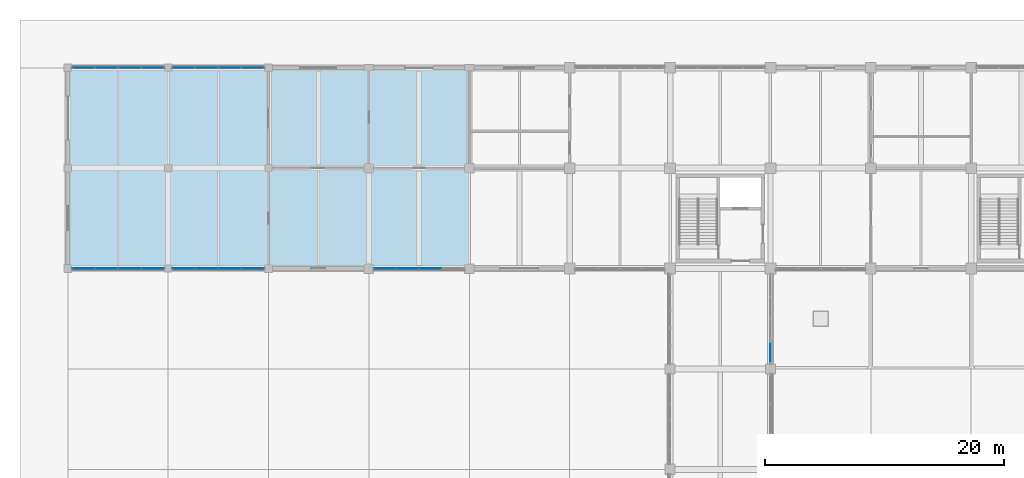
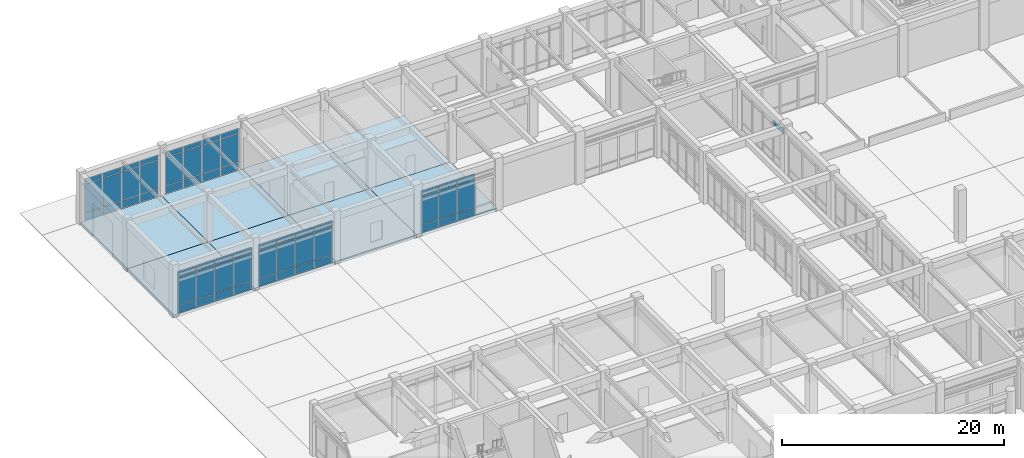
# One storey, part 54 of 91: 58 plates, 8 slabs, 6 elements without a shape of their own.
"""IFC4 building model written with IfcOpenShell, lengths in metres."""

from ifc_helpers import new_model, si_unit, direction, frame, origin, origin_2d, place, context, subcontext, project, spatial, polyline, rectangle, outline, extrude, material, layer, layer_set, type_object, element, aggregate, save


model = new_model("IFC4")

# Units and contexts
model_context = context("Model", 3, precision=1e-05, world=origin(), true_north=direction((0.0, 1.0)))
body_context = subcontext(model_context, "Body", "Model", "MODEL_VIEW")
ifc_project = project(units=[si_unit("LENGTHUNIT", "METRE"), si_unit("AREAUNIT", "SQUARE_METRE"), si_unit("VOLUMEUNIT", "CUBIC_METRE"), si_unit("PLANEANGLEUNIT", "RADIAN"), si_unit("MASSUNIT", "GRAM", prefix="KILO")], contexts=[model_context])

# Site, building, storey
site_placement = place(None, origin())
site = spatial("IfcSite", under=ifc_project, at=site_placement, CompositionType="ELEMENT")
building_placement = place(site_placement, origin())
building = spatial("IfcBuilding", under=site, at=building_placement, Name="Porcellanite Civic Hall", CompositionType="ELEMENT")
storey_placement = place(building_placement, origin())
storey = spatial("IfcBuildingStorey", under=building, at=storey_placement, Name="L00", CompositionType="ELEMENT", Elevation=0.0)

# Curtain wall, plates
ifc_material_1 = material(Name="Anodised aluminium and solar laminated glass", Category="aluminium")
ifc_layer_1 = layer(ifc_material_1, 0.179931640625)
ifc_layer_set_1 = layer_set([ifc_layer_1], Name="Anodised aluminium and solar laminated glass")
curtain_wall_type_1 = type_object("IfcCurtainWallType", Name="CW-SYS05", PredefinedType="NOTDEFINED", material=ifc_layer_set_1)
curtain_wall_1_placement = place(storey_placement, origin())
curtain_wall_1 = element("IfcCurtainWall", 1, at=curtain_wall_1_placement, inside=storey, type_object=curtain_wall_type_1, Name="Curtain wall CW-005", PredefinedType="NOTDEFINED")
ifc_material_2 = material(Name="Cyclone laminated solar-control low-E glass", Category="glass")
ifc_layer_2 = layer(ifc_material_2, 0.028076171875)
ifc_layer_set_2 = layer_set([ifc_layer_2], Name="Cyclone laminated solar-control low-E glass")
plate_type_1 = type_object("IfcPlateType", Name="CWP-03", PredefinedType="CURTAIN_PANEL", material=ifc_layer_set_2)
plate_1_placement = place(storey_placement, frame((7.10986328125, 100.800048828125, 0.06005859375), z_axis=(0.0, 0.0, 1.0), x_axis=(-1.0, 0.0, 0.0)))
plate_1 = element("IfcPlate", 2, at=plate_1_placement, type_object=plate_type_1, Name="CW-005 panel 1.1", PredefinedType="CURTAIN_PANEL", context=body_context, shape_type="SweptSolid", body=[
    extrude(rectangle(XDim=1.838134765625, YDim=0.028076171875, at=origin_2d()), origin(), (0.0, 0.0, 1.0), 0.81005859375),
])
plate_2_placement = place(storey_placement, frame((7.10986328125, 100.800048828125, 0.93017578125), z_axis=(0.0, 0.0, 1.0), x_axis=(-1.0, 0.0, 0.0)))
plate_2 = element("IfcPlate", 3, at=plate_2_placement, type_object=plate_type_1, Name="CW-005 panel 1.2", PredefinedType="CURTAIN_PANEL", context=body_context, shape_type="SweptSolid", body=[
    extrude(rectangle(XDim=1.838134765625, YDim=0.028076171875, at=origin_2d()), origin(), (0.0, 0.0, 1.0), 3.090087890625),
])
plate_3_placement = place(storey_placement, frame((7.10986328125, 100.800048828125, 4.080078125), z_axis=(0.0, 0.0, 1.0), x_axis=(-1.0, 0.0, 0.0)))
plate_3 = element("IfcPlate", 4, at=plate_3_placement, type_object=plate_type_1, Name="CW-005 panel 1.3", PredefinedType="CURTAIN_PANEL", context=body_context, shape_type="SweptSolid", body=[
    extrude(rectangle(XDim=1.838134765625, YDim=0.028076171875, at=origin_2d()), origin(), (0.0, 0.0, 1.0), 0.56005859375),
])
plate_4_placement = place(storey_placement, frame((5.18408203125, 100.800048828125, 0.06005859375), z_axis=(0.0, 0.0, 1.0), x_axis=(-1.0, 0.0, 0.0)))
plate_4 = element("IfcPlate", 5, at=plate_4_placement, type_object=plate_type_1, Name="CW-005 panel 2.1", PredefinedType="CURTAIN_PANEL", context=body_context, shape_type="SweptSolid", body=[
    extrude(rectangle(XDim=1.873291015625, YDim=0.028076171875, at=origin_2d()), origin(), (0.0, 0.0, 1.0), 0.81005859375),
])
plate_5_placement = place(storey_placement, frame((5.18408203125, 100.800048828125, 0.93017578125), z_axis=(0.0, 0.0, 1.0), x_axis=(-1.0, 0.0, 0.0)))
plate_5 = element("IfcPlate", 6, at=plate_5_placement, type_object=plate_type_1, Name="CW-005 panel 2.2", PredefinedType="CURTAIN_PANEL", context=body_context, shape_type="SweptSolid", body=[
    extrude(rectangle(XDim=1.873291015625, YDim=0.028076171875, at=origin_2d()), origin(), (0.0, 0.0, 1.0), 3.090087890625),
])
plate_6_placement = place(storey_placement, frame((5.18408203125, 100.800048828125, 4.080078125), z_axis=(0.0, 0.0, 1.0), x_axis=(-1.0, 0.0, 0.0)))
plate_6 = element("IfcPlate", 7, at=plate_6_placement, type_object=plate_type_1, Name="CW-005 panel 2.3", PredefinedType="CURTAIN_PANEL", context=body_context, shape_type="SweptSolid", body=[
    extrude(rectangle(XDim=1.873291015625, YDim=0.028076171875, at=origin_2d()), origin(), (0.0, 0.0, 1.0), 0.56005859375),
])
plate_7_placement = place(storey_placement, frame((3.240966796875, 100.800048828125, 0.06005859375), z_axis=(0.0, 0.0, 1.0), x_axis=(-1.0, 0.0, 0.0)))
plate_7 = element("IfcPlate", 8, at=plate_7_placement, type_object=plate_type_1, Name="CW-005 panel 3.1", PredefinedType="CURTAIN_PANEL", context=body_context, shape_type="SweptSolid", body=[
    extrude(rectangle(XDim=1.873291015625, YDim=0.028076171875, at=origin_2d()), origin(), (0.0, 0.0, 1.0), 0.81005859375),
])
plate_8_placement = place(storey_placement, frame((3.240966796875, 100.800048828125, 0.93017578125), z_axis=(0.0, 0.0, 1.0), x_axis=(-1.0, 0.0, 0.0)))
plate_8 = element("IfcPlate", 9, at=plate_8_placement, type_object=plate_type_1, Name="CW-005 panel 3.2", PredefinedType="CURTAIN_PANEL", context=body_context, shape_type="SweptSolid", body=[
    extrude(rectangle(XDim=1.873291015625, YDim=0.028076171875, at=origin_2d()), origin(), (0.0, 0.0, 1.0), 3.090087890625),
])
plate_9_placement = place(storey_placement, frame((3.240966796875, 100.800048828125, 4.080078125), z_axis=(0.0, 0.0, 1.0), x_axis=(-1.0, 0.0, 0.0)))
plate_9 = element("IfcPlate", 10, at=plate_9_placement, type_object=plate_type_1, Name="CW-005 panel 3.3", PredefinedType="CURTAIN_PANEL", context=body_context, shape_type="SweptSolid", body=[
    extrude(rectangle(XDim=1.873291015625, YDim=0.028076171875, at=origin_2d()), origin(), (0.0, 0.0, 1.0), 0.56005859375),
])
plate_10_placement = place(storey_placement, frame((1.315185546875, 100.800048828125, 0.06005859375), z_axis=(0.0, 0.0, 1.0), x_axis=(-1.0, 0.0, 0.0)))
plate_10 = element("IfcPlate", 11, at=plate_10_placement, type_object=plate_type_1, Name="CW-005 panel 4.1", PredefinedType="CURTAIN_PANEL", context=body_context, shape_type="SweptSolid", body=[
    extrude(rectangle(XDim=1.838134765625, YDim=0.028076171875, at=origin_2d()), origin(), (0.0, 0.0, 1.0), 0.81005859375),
])
plate_11_placement = place(storey_placement, frame((1.315185546875, 100.800048828125, 0.93017578125), z_axis=(0.0, 0.0, 1.0), x_axis=(-1.0, 0.0, 0.0)))
plate_11 = element("IfcPlate", 12, at=plate_11_placement, type_object=plate_type_1, Name="CW-005 panel 4.2", PredefinedType="CURTAIN_PANEL", context=body_context, shape_type="SweptSolid", body=[
    extrude(rectangle(XDim=1.838134765625, YDim=0.028076171875, at=origin_2d()), origin(), (0.0, 0.0, 1.0), 3.090087890625),
])
plate_12_placement = place(storey_placement, frame((1.315185546875, 100.800048828125, 4.080078125), z_axis=(0.0, 0.0, 1.0), x_axis=(-1.0, 0.0, 0.0)))
plate_12 = element("IfcPlate", 13, at=plate_12_placement, type_object=plate_type_1, Name="CW-005 panel 4.3", PredefinedType="CURTAIN_PANEL", context=body_context, shape_type="SweptSolid", body=[
    extrude(rectangle(XDim=1.838134765625, YDim=0.028076171875, at=origin_2d()), origin(), (0.0, 0.0, 1.0), 0.56005859375),
])
aggregate(curtain_wall_1, [plate_1, plate_2, plate_3, plate_4, plate_5, plate_6, plate_7, plate_8, plate_9, plate_10, plate_11, plate_12])

curtain_wall_2_placement = place(storey_placement, origin())
curtain_wall_2 = element("IfcCurtainWall", 14, at=curtain_wall_2_placement, inside=storey, type_object=curtain_wall_type_1, Name="Curtain wall CW-006", PredefinedType="NOTDEFINED")
plate_13_placement = place(storey_placement, frame((1.315185546875, 117.60009765625, 0.06005859375), z_axis=(0.0, 0.0, 1.0), x_axis=(1.0, 0.0, 0.0)))
plate_13 = element("IfcPlate", 15, at=plate_13_placement, type_object=plate_type_1, Name="CW-006 panel 1.1", PredefinedType="CURTAIN_PANEL", context=body_context, shape_type="SweptSolid", body=[
    extrude(rectangle(XDim=1.838134765625, YDim=0.028076171875, at=origin_2d()), origin(), (0.0, 0.0, 1.0), 0.81005859375),
])
plate_14_placement = place(storey_placement, frame((1.315185546875, 117.60009765625, 0.93017578125), z_axis=(0.0, 0.0, 1.0), x_axis=(1.0, 0.0, 0.0)))
plate_14 = element("IfcPlate", 16, at=plate_14_placement, type_object=plate_type_1, Name="CW-006 panel 1.2", PredefinedType="CURTAIN_PANEL", context=body_context, shape_type="SweptSolid", body=[
    extrude(rectangle(XDim=1.838134765625, YDim=0.028076171875, at=origin_2d()), origin(), (0.0, 0.0, 1.0), 3.090087890625),
])
plate_15_placement = place(storey_placement, frame((1.315185546875, 117.60009765625, 4.080078125), z_axis=(0.0, 0.0, 1.0), x_axis=(1.0, 0.0, 0.0)))
plate_15 = element("IfcPlate", 17, at=plate_15_placement, type_object=plate_type_1, Name="CW-006 panel 1.3", PredefinedType="CURTAIN_PANEL", context=body_context, shape_type="SweptSolid", body=[
    extrude(rectangle(XDim=1.838134765625, YDim=0.028076171875, at=origin_2d()), origin(), (0.0, 0.0, 1.0), 0.56005859375),
])
plate_16_placement = place(storey_placement, frame((3.240966796875, 117.60009765625, 0.06005859375), z_axis=(0.0, 0.0, 1.0), x_axis=(1.0, 0.0, 0.0)))
plate_16 = element("IfcPlate", 18, at=plate_16_placement, type_object=plate_type_1, Name="CW-006 panel 2.1", PredefinedType="CURTAIN_PANEL", context=body_context, shape_type="SweptSolid", body=[
    extrude(rectangle(XDim=1.873291015625, YDim=0.028076171875, at=origin_2d()), origin(), (0.0, 0.0, 1.0), 0.81005859375),
])
plate_17_placement = place(storey_placement, frame((3.240966796875, 117.60009765625, 0.93017578125), z_axis=(0.0, 0.0, 1.0), x_axis=(1.0, 0.0, 0.0)))
plate_17 = element("IfcPlate", 19, at=plate_17_placement, type_object=plate_type_1, Name="CW-006 panel 2.2", PredefinedType="CURTAIN_PANEL", context=body_context, shape_type="SweptSolid", body=[
    extrude(rectangle(XDim=1.873291015625, YDim=0.028076171875, at=origin_2d()), origin(), (0.0, 0.0, 1.0), 3.090087890625),
])
plate_18_placement = place(storey_placement, frame((3.240966796875, 117.60009765625, 4.080078125), z_axis=(0.0, 0.0, 1.0), x_axis=(1.0, 0.0, 0.0)))
plate_18 = element("IfcPlate", 20, at=plate_18_placement, type_object=plate_type_1, Name="CW-006 panel 2.3", PredefinedType="CURTAIN_PANEL", context=body_context, shape_type="SweptSolid", body=[
    extrude(rectangle(XDim=1.873291015625, YDim=0.028076171875, at=origin_2d()), origin(), (0.0, 0.0, 1.0), 0.56005859375),
])
plate_19_placement = place(storey_placement, frame((5.18408203125, 117.60009765625, 0.06005859375), z_axis=(0.0, 0.0, 1.0), x_axis=(1.0, 0.0, 0.0)))
plate_19 = element("IfcPlate", 21, at=plate_19_placement, type_object=plate_type_1, Name="CW-006 panel 3.1", PredefinedType="CURTAIN_PANEL", context=body_context, shape_type="SweptSolid", body=[
    extrude(rectangle(XDim=1.873291015625, YDim=0.028076171875, at=origin_2d()), origin(), (0.0, 0.0, 1.0), 0.81005859375),
])
plate_20_placement = place(storey_placement, frame((5.18408203125, 117.60009765625, 0.93017578125), z_axis=(0.0, 0.0, 1.0), x_axis=(1.0, 0.0, 0.0)))
plate_20 = element("IfcPlate", 22, at=plate_20_placement, type_object=plate_type_1, Name="CW-006 panel 3.2", PredefinedType="CURTAIN_PANEL", context=body_context, shape_type="SweptSolid", body=[
    extrude(rectangle(XDim=1.873291015625, YDim=0.028076171875, at=origin_2d()), origin(), (0.0, 0.0, 1.0), 3.090087890625),
])
plate_21_placement = place(storey_placement, frame((5.18408203125, 117.60009765625, 4.080078125), z_axis=(0.0, 0.0, 1.0), x_axis=(1.0, 0.0, 0.0)))
plate_21 = element("IfcPlate", 23, at=plate_21_placement, type_object=plate_type_1, Name="CW-006 panel 3.3", PredefinedType="CURTAIN_PANEL", context=body_context, shape_type="SweptSolid", body=[
    extrude(rectangle(XDim=1.873291015625, YDim=0.028076171875, at=origin_2d()), origin(), (0.0, 0.0, 1.0), 0.56005859375),
])
plate_22_placement = place(storey_placement, frame((7.10986328125, 117.60009765625, 0.06005859375), z_axis=(0.0, 0.0, 1.0), x_axis=(1.0, 0.0, 0.0)))
plate_22 = element("IfcPlate", 24, at=plate_22_placement, type_object=plate_type_1, Name="CW-006 panel 4.1", PredefinedType="CURTAIN_PANEL", context=body_context, shape_type="SweptSolid", body=[
    extrude(rectangle(XDim=1.838134765625, YDim=0.028076171875, at=origin_2d()), origin(), (0.0, 0.0, 1.0), 0.81005859375),
])
plate_23_placement = place(storey_placement, frame((7.10986328125, 117.60009765625, 0.93017578125), z_axis=(0.0, 0.0, 1.0), x_axis=(1.0, 0.0, 0.0)))
plate_23 = element("IfcPlate", 25, at=plate_23_placement, type_object=plate_type_1, Name="CW-006 panel 4.2", PredefinedType="CURTAIN_PANEL", context=body_context, shape_type="SweptSolid", body=[
    extrude(rectangle(XDim=1.838134765625, YDim=0.028076171875, at=origin_2d()), origin(), (0.0, 0.0, 1.0), 3.090087890625),
])
plate_24_placement = place(storey_placement, frame((7.10986328125, 117.60009765625, 4.080078125), z_axis=(0.0, 0.0, 1.0), x_axis=(1.0, 0.0, 0.0)))
plate_24 = element("IfcPlate", 26, at=plate_24_placement, type_object=plate_type_1, Name="CW-006 panel 4.3", PredefinedType="CURTAIN_PANEL", context=body_context, shape_type="SweptSolid", body=[
    extrude(rectangle(XDim=1.838134765625, YDim=0.028076171875, at=origin_2d()), origin(), (0.0, 0.0, 1.0), 0.56005859375),
])
aggregate(curtain_wall_2, [plate_13, plate_14, plate_15, plate_16, plate_17, plate_18, plate_19, plate_20, plate_21, plate_22, plate_23, plate_24])

curtain_wall_3_placement = place(storey_placement, origin())
curtain_wall_3 = element("IfcCurtainWall", 27, at=curtain_wall_3_placement, inside=storey, type_object=curtain_wall_type_1, Name="Curtain wall CW-008", PredefinedType="NOTDEFINED")
plate_25_placement = place(storey_placement, frame((15.48486328125, 100.800048828125, 0.06005859375), z_axis=(0.0, 0.0, 1.0), x_axis=(-1.0, 0.0, 0.0)))
plate_25 = element("IfcPlate", 28, at=plate_25_placement, type_object=plate_type_1, Name="CW-008 panel 1.1", PredefinedType="CURTAIN_PANEL", context=body_context, shape_type="SweptSolid", body=[
    extrude(rectangle(XDim=1.838134765625, YDim=0.028076171875, at=origin_2d()), origin(), (0.0, 0.0, 1.0), 0.81005859375),
])
plate_26_placement = place(storey_placement, frame((15.48486328125, 100.800048828125, 0.93017578125), z_axis=(0.0, 0.0, 1.0), x_axis=(-1.0, 0.0, 0.0)))
plate_26 = element("IfcPlate", 29, at=plate_26_placement, type_object=plate_type_1, Name="CW-008 panel 1.2", PredefinedType="CURTAIN_PANEL", context=body_context, shape_type="SweptSolid", body=[
    extrude(rectangle(XDim=1.838134765625, YDim=0.028076171875, at=origin_2d()), origin(), (0.0, 0.0, 1.0), 3.090087890625),
])
plate_27_placement = place(storey_placement, frame((15.48486328125, 100.800048828125, 4.080078125), z_axis=(0.0, 0.0, 1.0), x_axis=(-1.0, 0.0, 0.0)))
plate_27 = element("IfcPlate", 30, at=plate_27_placement, type_object=plate_type_1, Name="CW-008 panel 1.3", PredefinedType="CURTAIN_PANEL", context=body_context, shape_type="SweptSolid", body=[
    extrude(rectangle(XDim=1.838134765625, YDim=0.028076171875, at=origin_2d()), origin(), (0.0, 0.0, 1.0), 0.56005859375),
])
plate_28_placement = place(storey_placement, frame((13.55908203125, 100.800048828125, 0.06005859375), z_axis=(0.0, 0.0, 1.0), x_axis=(-1.0, 0.0, 0.0)))
plate_28 = element("IfcPlate", 31, at=plate_28_placement, type_object=plate_type_1, Name="CW-008 panel 2.1", PredefinedType="CURTAIN_PANEL", context=body_context, shape_type="SweptSolid", body=[
    extrude(rectangle(XDim=1.873291015625, YDim=0.028076171875, at=origin_2d()), origin(), (0.0, 0.0, 1.0), 0.81005859375),
])
plate_29_placement = place(storey_placement, frame((13.55908203125, 100.800048828125, 0.93017578125), z_axis=(0.0, 0.0, 1.0), x_axis=(-1.0, 0.0, 0.0)))
plate_29 = element("IfcPlate", 32, at=plate_29_placement, type_object=plate_type_1, Name="CW-008 panel 2.2", PredefinedType="CURTAIN_PANEL", context=body_context, shape_type="SweptSolid", body=[
    extrude(rectangle(XDim=1.873291015625, YDim=0.028076171875, at=origin_2d()), origin(), (0.0, 0.0, 1.0), 3.090087890625),
])
plate_30_placement = place(storey_placement, frame((13.55908203125, 100.800048828125, 4.080078125), z_axis=(0.0, 0.0, 1.0), x_axis=(-1.0, 0.0, 0.0)))
plate_30 = element("IfcPlate", 33, at=plate_30_placement, type_object=plate_type_1, Name="CW-008 panel 2.3", PredefinedType="CURTAIN_PANEL", context=body_context, shape_type="SweptSolid", body=[
    extrude(rectangle(XDim=1.873291015625, YDim=0.028076171875, at=origin_2d()), origin(), (0.0, 0.0, 1.0), 0.56005859375),
])
plate_31_placement = place(storey_placement, frame((11.615966796875, 100.800048828125, 0.06005859375), z_axis=(0.0, 0.0, 1.0), x_axis=(-1.0, 0.0, 0.0)))
plate_31 = element("IfcPlate", 34, at=plate_31_placement, type_object=plate_type_1, Name="CW-008 panel 3.1", PredefinedType="CURTAIN_PANEL", context=body_context, shape_type="SweptSolid", body=[
    extrude(rectangle(XDim=1.873291015625, YDim=0.028076171875, at=origin_2d()), origin(), (0.0, 0.0, 1.0), 0.81005859375),
])
plate_32_placement = place(storey_placement, frame((11.615966796875, 100.800048828125, 0.93017578125), z_axis=(0.0, 0.0, 1.0), x_axis=(-1.0, 0.0, 0.0)))
plate_32 = element("IfcPlate", 35, at=plate_32_placement, type_object=plate_type_1, Name="CW-008 panel 3.2", PredefinedType="CURTAIN_PANEL", context=body_context, shape_type="SweptSolid", body=[
    extrude(rectangle(XDim=1.873291015625, YDim=0.028076171875, at=origin_2d()), origin(), (0.0, 0.0, 1.0), 3.090087890625),
])
plate_33_placement = place(storey_placement, frame((11.615966796875, 100.800048828125, 4.080078125), z_axis=(0.0, 0.0, 1.0), x_axis=(-1.0, 0.0, 0.0)))
plate_33 = element("IfcPlate", 36, at=plate_33_placement, type_object=plate_type_1, Name="CW-008 panel 3.3", PredefinedType="CURTAIN_PANEL", context=body_context, shape_type="SweptSolid", body=[
    extrude(rectangle(XDim=1.873291015625, YDim=0.028076171875, at=origin_2d()), origin(), (0.0, 0.0, 1.0), 0.56005859375),
])
plate_34_placement = place(storey_placement, frame((9.690185546875, 100.800048828125, 0.06005859375), z_axis=(0.0, 0.0, 1.0), x_axis=(-1.0, 0.0, 0.0)))
plate_34 = element("IfcPlate", 37, at=plate_34_placement, type_object=plate_type_1, Name="CW-008 panel 4.1", PredefinedType="CURTAIN_PANEL", context=body_context, shape_type="SweptSolid", body=[
    extrude(rectangle(XDim=1.838134765625, YDim=0.028076171875, at=origin_2d()), origin(), (0.0, 0.0, 1.0), 0.81005859375),
])
plate_35_placement = place(storey_placement, frame((9.690185546875, 100.800048828125, 0.93017578125), z_axis=(0.0, 0.0, 1.0), x_axis=(-1.0, 0.0, 0.0)))
plate_35 = element("IfcPlate", 38, at=plate_35_placement, type_object=plate_type_1, Name="CW-008 panel 4.2", PredefinedType="CURTAIN_PANEL", context=body_context, shape_type="SweptSolid", body=[
    extrude(rectangle(XDim=1.838134765625, YDim=0.028076171875, at=origin_2d()), origin(), (0.0, 0.0, 1.0), 3.090087890625),
])
plate_36_placement = place(storey_placement, frame((9.690185546875, 100.800048828125, 4.080078125), z_axis=(0.0, 0.0, 1.0), x_axis=(-1.0, 0.0, 0.0)))
plate_36 = element("IfcPlate", 39, at=plate_36_placement, type_object=plate_type_1, Name="CW-008 panel 4.3", PredefinedType="CURTAIN_PANEL", context=body_context, shape_type="SweptSolid", body=[
    extrude(rectangle(XDim=1.838134765625, YDim=0.028076171875, at=origin_2d()), origin(), (0.0, 0.0, 1.0), 0.56005859375),
])
aggregate(curtain_wall_3, [plate_25, plate_26, plate_27, plate_28, plate_29, plate_30, plate_31, plate_32, plate_33, plate_34, plate_35, plate_36])

curtain_wall_4_placement = place(storey_placement, origin())
curtain_wall_4 = element("IfcCurtainWall", 40, at=curtain_wall_4_placement, inside=storey, type_object=curtain_wall_type_1, Name="Curtain wall CW-009", PredefinedType="NOTDEFINED")
plate_37_placement = place(storey_placement, frame((9.690185546875, 117.60009765625, 0.06005859375), z_axis=(0.0, 0.0, 1.0), x_axis=(1.0, 0.0, 0.0)))
plate_37 = element("IfcPlate", 41, at=plate_37_placement, type_object=plate_type_1, Name="CW-009 panel 1.1", PredefinedType="CURTAIN_PANEL", context=body_context, shape_type="SweptSolid", body=[
    extrude(rectangle(XDim=1.838134765625, YDim=0.028076171875, at=origin_2d()), origin(), (0.0, 0.0, 1.0), 0.81005859375),
])
plate_38_placement = place(storey_placement, frame((9.690185546875, 117.60009765625, 0.93017578125), z_axis=(0.0, 0.0, 1.0), x_axis=(1.0, 0.0, 0.0)))
plate_38 = element("IfcPlate", 42, at=plate_38_placement, type_object=plate_type_1, Name="CW-009 panel 1.2", PredefinedType="CURTAIN_PANEL", context=body_context, shape_type="SweptSolid", body=[
    extrude(rectangle(XDim=1.838134765625, YDim=0.028076171875, at=origin_2d()), origin(), (0.0, 0.0, 1.0), 3.090087890625),
])
plate_39_placement = place(storey_placement, frame((9.690185546875, 117.60009765625, 4.080078125), z_axis=(0.0, 0.0, 1.0), x_axis=(1.0, 0.0, 0.0)))
plate_39 = element("IfcPlate", 43, at=plate_39_placement, type_object=plate_type_1, Name="CW-009 panel 1.3", PredefinedType="CURTAIN_PANEL", context=body_context, shape_type="SweptSolid", body=[
    extrude(rectangle(XDim=1.838134765625, YDim=0.028076171875, at=origin_2d()), origin(), (0.0, 0.0, 1.0), 0.56005859375),
])
plate_40_placement = place(storey_placement, frame((11.615966796875, 117.60009765625, 0.06005859375), z_axis=(0.0, 0.0, 1.0), x_axis=(1.0, 0.0, 0.0)))
plate_40 = element("IfcPlate", 44, at=plate_40_placement, type_object=plate_type_1, Name="CW-009 panel 2.1", PredefinedType="CURTAIN_PANEL", context=body_context, shape_type="SweptSolid", body=[
    extrude(rectangle(XDim=1.873291015625, YDim=0.028076171875, at=origin_2d()), origin(), (0.0, 0.0, 1.0), 0.81005859375),
])
plate_41_placement = place(storey_placement, frame((11.615966796875, 117.60009765625, 0.93017578125), z_axis=(0.0, 0.0, 1.0), x_axis=(1.0, 0.0, 0.0)))
plate_41 = element("IfcPlate", 45, at=plate_41_placement, type_object=plate_type_1, Name="CW-009 panel 2.2", PredefinedType="CURTAIN_PANEL", context=body_context, shape_type="SweptSolid", body=[
    extrude(rectangle(XDim=1.873291015625, YDim=0.028076171875, at=origin_2d()), origin(), (0.0, 0.0, 1.0), 3.090087890625),
])
plate_42_placement = place(storey_placement, frame((11.615966796875, 117.60009765625, 4.080078125), z_axis=(0.0, 0.0, 1.0), x_axis=(1.0, 0.0, 0.0)))
plate_42 = element("IfcPlate", 46, at=plate_42_placement, type_object=plate_type_1, Name="CW-009 panel 2.3", PredefinedType="CURTAIN_PANEL", context=body_context, shape_type="SweptSolid", body=[
    extrude(rectangle(XDim=1.873291015625, YDim=0.028076171875, at=origin_2d()), origin(), (0.0, 0.0, 1.0), 0.56005859375),
])
plate_43_placement = place(storey_placement, frame((13.55908203125, 117.60009765625, 0.06005859375), z_axis=(0.0, 0.0, 1.0), x_axis=(1.0, 0.0, 0.0)))
plate_43 = element("IfcPlate", 47, at=plate_43_placement, type_object=plate_type_1, Name="CW-009 panel 3.1", PredefinedType="CURTAIN_PANEL", context=body_context, shape_type="SweptSolid", body=[
    extrude(rectangle(XDim=1.873291015625, YDim=0.028076171875, at=origin_2d()), origin(), (0.0, 0.0, 1.0), 0.81005859375),
])
plate_44_placement = place(storey_placement, frame((13.55908203125, 117.60009765625, 0.93017578125), z_axis=(0.0, 0.0, 1.0), x_axis=(1.0, 0.0, 0.0)))
plate_44 = element("IfcPlate", 48, at=plate_44_placement, type_object=plate_type_1, Name="CW-009 panel 3.2", PredefinedType="CURTAIN_PANEL", context=body_context, shape_type="SweptSolid", body=[
    extrude(rectangle(XDim=1.873291015625, YDim=0.028076171875, at=origin_2d()), origin(), (0.0, 0.0, 1.0), 3.090087890625),
])
plate_45_placement = place(storey_placement, frame((13.55908203125, 117.60009765625, 4.080078125), z_axis=(0.0, 0.0, 1.0), x_axis=(1.0, 0.0, 0.0)))
plate_45 = element("IfcPlate", 49, at=plate_45_placement, type_object=plate_type_1, Name="CW-009 panel 3.3", PredefinedType="CURTAIN_PANEL", context=body_context, shape_type="SweptSolid", body=[
    extrude(rectangle(XDim=1.873291015625, YDim=0.028076171875, at=origin_2d()), origin(), (0.0, 0.0, 1.0), 0.56005859375),
])
plate_46_placement = place(storey_placement, frame((15.48486328125, 117.60009765625, 0.06005859375), z_axis=(0.0, 0.0, 1.0), x_axis=(1.0, 0.0, 0.0)))
plate_46 = element("IfcPlate", 50, at=plate_46_placement, type_object=plate_type_1, Name="CW-009 panel 4.1", PredefinedType="CURTAIN_PANEL", context=body_context, shape_type="SweptSolid", body=[
    extrude(rectangle(XDim=1.838134765625, YDim=0.028076171875, at=origin_2d()), origin(), (0.0, 0.0, 1.0), 0.81005859375),
])
plate_47_placement = place(storey_placement, frame((15.48486328125, 117.60009765625, 0.93017578125), z_axis=(0.0, 0.0, 1.0), x_axis=(1.0, 0.0, 0.0)))
plate_47 = element("IfcPlate", 51, at=plate_47_placement, type_object=plate_type_1, Name="CW-009 panel 4.2", PredefinedType="CURTAIN_PANEL", context=body_context, shape_type="SweptSolid", body=[
    extrude(rectangle(XDim=1.838134765625, YDim=0.028076171875, at=origin_2d()), origin(), (0.0, 0.0, 1.0), 3.090087890625),
])
plate_48_placement = place(storey_placement, frame((15.48486328125, 117.60009765625, 4.080078125), z_axis=(0.0, 0.0, 1.0), x_axis=(1.0, 0.0, 0.0)))
plate_48 = element("IfcPlate", 52, at=plate_48_placement, type_object=plate_type_1, Name="CW-009 panel 4.3", PredefinedType="CURTAIN_PANEL", context=body_context, shape_type="SweptSolid", body=[
    extrude(rectangle(XDim=1.838134765625, YDim=0.028076171875, at=origin_2d()), origin(), (0.0, 0.0, 1.0), 0.56005859375),
])
aggregate(curtain_wall_4, [plate_37, plate_38, plate_39, plate_40, plate_41, plate_42, plate_43, plate_44, plate_45, plate_46, plate_47, plate_48])

curtain_wall_5_placement = place(storey_placement, origin())
curtain_wall_5 = element("IfcCurtainWall", 53, at=curtain_wall_5_placement, inside=storey, type_object=curtain_wall_type_1, Name="Curtain wall CW-013", PredefinedType="NOTDEFINED")
plate_49_placement = place(storey_placement, frame((30.349853515625, 100.800048828125, 0.06005859375), z_axis=(0.0, 0.0, 1.0), x_axis=(-1.0, 0.0, 0.0)))
plate_49 = element("IfcPlate", 54, at=plate_49_placement, type_object=plate_type_1, Name="CW-013 panel 2.1", PredefinedType="CURTAIN_PANEL", context=body_context, shape_type="SweptSolid", body=[
    extrude(rectangle(XDim=1.82958984375, YDim=0.028076171875, at=origin_2d()), origin(), (0.0, 0.0, 1.0), 0.81005859375),
])
plate_50_placement = place(storey_placement, frame((30.349853515625, 100.800048828125, 0.93017578125), z_axis=(0.0, 0.0, 1.0), x_axis=(-1.0, 0.0, 0.0)))
plate_50 = element("IfcPlate", 55, at=plate_50_placement, type_object=plate_type_1, Name="CW-013 panel 2.2", PredefinedType="CURTAIN_PANEL", context=body_context, shape_type="SweptSolid", body=[
    extrude(rectangle(XDim=1.82958984375, YDim=0.028076171875, at=origin_2d()), origin(), (0.0, 0.0, 1.0), 3.090087890625),
])
plate_51_placement = place(storey_placement, frame((30.349853515625, 100.800048828125, 4.080078125), z_axis=(0.0, 0.0, 1.0), x_axis=(-1.0, 0.0, 0.0)))
plate_51 = element("IfcPlate", 56, at=plate_51_placement, type_object=plate_type_1, Name="CW-013 panel 2.3", PredefinedType="CURTAIN_PANEL", context=body_context, shape_type="SweptSolid", body=[
    extrude(rectangle(XDim=1.82958984375, YDim=0.028076171875, at=origin_2d()), origin(), (0.0, 0.0, 1.0), 0.56005859375),
])
plate_52_placement = place(storey_placement, frame((28.4501953125, 100.800048828125, 0.06005859375), z_axis=(0.0, 0.0, 1.0), x_axis=(-1.0, 0.0, 0.0)))
plate_52 = element("IfcPlate", 57, at=plate_52_placement, type_object=plate_type_1, Name="CW-013 panel 3.1", PredefinedType="CURTAIN_PANEL", context=body_context, shape_type="SweptSolid", body=[
    extrude(rectangle(XDim=1.82958984375, YDim=0.028076171875, at=origin_2d()), origin(), (0.0, 0.0, 1.0), 0.81005859375),
])
plate_53_placement = place(storey_placement, frame((28.4501953125, 100.800048828125, 0.93017578125), z_axis=(0.0, 0.0, 1.0), x_axis=(-1.0, 0.0, 0.0)))
plate_53 = element("IfcPlate", 58, at=plate_53_placement, type_object=plate_type_1, Name="CW-013 panel 3.2", PredefinedType="CURTAIN_PANEL", context=body_context, shape_type="SweptSolid", body=[
    extrude(rectangle(XDim=1.82958984375, YDim=0.028076171875, at=origin_2d()), origin(), (0.0, 0.0, 1.0), 3.090087890625),
])
plate_54_placement = place(storey_placement, frame((28.4501953125, 100.800048828125, 4.080078125), z_axis=(0.0, 0.0, 1.0), x_axis=(-1.0, 0.0, 0.0)))
plate_54 = element("IfcPlate", 59, at=plate_54_placement, type_object=plate_type_1, Name="CW-013 panel 3.3", PredefinedType="CURTAIN_PANEL", context=body_context, shape_type="SweptSolid", body=[
    extrude(rectangle(XDim=1.82958984375, YDim=0.028076171875, at=origin_2d()), origin(), (0.0, 0.0, 1.0), 0.56005859375),
])
plate_55_placement = place(storey_placement, frame((26.568359375, 100.800048828125, 0.06005859375), z_axis=(0.0, 0.0, 1.0), x_axis=(-1.0, 0.0, 0.0)))
plate_55 = element("IfcPlate", 60, at=plate_55_placement, type_object=plate_type_1, Name="CW-013 panel 4.1", PredefinedType="CURTAIN_PANEL", context=body_context, shape_type="SweptSolid", body=[
    extrude(rectangle(XDim=1.79443359375, YDim=0.028076171875, at=origin_2d()), origin(), (0.0, 0.0, 1.0), 0.81005859375),
])
plate_56_placement = place(storey_placement, frame((26.568359375, 100.800048828125, 0.93017578125), z_axis=(0.0, 0.0, 1.0), x_axis=(-1.0, 0.0, 0.0)))
plate_56 = element("IfcPlate", 61, at=plate_56_placement, type_object=plate_type_1, Name="CW-013 panel 4.2", PredefinedType="CURTAIN_PANEL", context=body_context, shape_type="SweptSolid", body=[
    extrude(rectangle(XDim=1.79443359375, YDim=0.028076171875, at=origin_2d()), origin(), (0.0, 0.0, 1.0), 3.090087890625),
])
plate_57_placement = place(storey_placement, frame((26.568359375, 100.800048828125, 4.080078125), z_axis=(0.0, 0.0, 1.0), x_axis=(-1.0, 0.0, 0.0)))
plate_57 = element("IfcPlate", 62, at=plate_57_placement, type_object=plate_type_1, Name="CW-013 panel 4.3", PredefinedType="CURTAIN_PANEL", context=body_context, shape_type="SweptSolid", body=[
    extrude(rectangle(XDim=1.79443359375, YDim=0.028076171875, at=origin_2d()), origin(), (0.0, 0.0, 1.0), 0.56005859375),
])
aggregate(curtain_wall_5, [plate_49, plate_50, plate_51, plate_52, plate_53, plate_54, plate_55, plate_56, plate_57])

# Curtain wall, plate
ifc_material_3 = material(Name="Anodised aluminium and solar laminated glass", Category="aluminium")
ifc_layer_3 = layer(ifc_material_3, 0.179931640625)
ifc_layer_set_3 = layer_set([ifc_layer_3], Name="Anodised aluminium and solar laminated glass")
curtain_wall_type_2 = type_object("IfcCurtainWallType", Name="CW-SYS03", PredefinedType="NOTDEFINED", material=ifc_layer_set_3)
curtain_wall_6_placement = place(storey_placement, origin())
curtain_wall_6 = element("IfcCurtainWall", 63, at=curtain_wall_6_placement, inside=storey, type_object=curtain_wall_type_2, Name="Curtain wall CW-024", PredefinedType="NOTDEFINED")
ifc_material_4 = material(Name="Cyclone laminated solar-control low-E glass", Category="glass")
ifc_layer_4 = layer(ifc_material_4, 0.031982421875)
ifc_layer_set_4 = layer_set([ifc_layer_4], Name="Cyclone laminated solar-control low-E glass")
plate_type_2 = type_object("IfcPlateType", Name="CWP-05", PredefinedType="CURTAIN_PANEL", material=ifc_layer_set_4)
plate_58_placement = place(storey_placement, frame((58.800048828125, 93.786376953125, 4.07763671875), z_axis=(0.0, 0.0, 1.0), x_axis=(0.0, -1.0, 0.0)))
plate_58 = element("IfcPlate", 64, at=plate_58_placement, type_object=plate_type_2, Name="CW-024 panel 4.3", PredefinedType="CURTAIN_PANEL", context=body_context, shape_type="SweptSolid", body=[
    extrude(rectangle(XDim=1.7607421875, YDim=0.031982421875, at=origin_2d()), origin(), (0.0, 0.0, 1.0), 0.5673828125),
])
aggregate(curtain_wall_6, [plate_58])

# Slabs
ifc_material_5 = material(Name="Concrete N40 (40 MPa)", Category="concrete")
ifc_layer_5 = layer(ifc_material_5, 0.35009765625)
ifc_layer_set_5 = layer_set([ifc_layer_5], Name="Concrete N40 (40 MPa)")
slab_type = type_object("IfcSlabType", Name="SL-BASE350", PredefinedType="BASESLAB", material=ifc_layer_set_5)
slab_1_placement = place(storey_placement, frame((0.0, 0.0, -0.35009765625)))
element("IfcSlab", 65, at=slab_1_placement, inside=storey, type_object=slab_type, Name="Slab L00 bay 1-13", PredefinedType="BASESLAB", context=body_context, shape_type="SweptSolid", body=[
    extrude(outline(polyline([(0.0, 100.800048828125), (8.39990234375, 100.800048828125), (8.39990234375, 109.199951171875), (0.0, 109.199951171875), (0.0, 100.800048828125)])), origin(), (0.0, 0.0, 1.0), 0.35009765625),
])
slab_2_placement = place(storey_placement, frame((0.0, 0.0, -0.35009765625)))
element("IfcSlab", 66, at=slab_2_placement, inside=storey, type_object=slab_type, Name="Slab L00 bay 1-14", PredefinedType="BASESLAB", context=body_context, shape_type="SweptSolid", body=[
    extrude(outline(polyline([(0.0, 109.199951171875), (8.39990234375, 109.199951171875), (8.39990234375, 117.60009765625), (0.0, 117.60009765625), (0.0, 109.199951171875)])), origin(), (0.0, 0.0, 1.0), 0.35009765625),
])
slab_3_placement = place(storey_placement, frame((0.0, 0.0, -0.35009765625)))
element("IfcSlab", 67, at=slab_3_placement, inside=storey, type_object=slab_type, Name="Slab L00 bay 2-13", PredefinedType="BASESLAB", context=body_context, shape_type="SweptSolid", body=[
    extrude(outline(polyline([(8.39990234375, 100.800048828125), (16.800048828125, 100.800048828125), (16.800048828125, 109.199951171875), (8.39990234375, 109.199951171875), (8.39990234375, 100.800048828125)])), origin(), (0.0, 0.0, 1.0), 0.35009765625),
])
slab_4_placement = place(storey_placement, frame((0.0, 0.0, -0.35009765625)))
element("IfcSlab", 68, at=slab_4_placement, inside=storey, type_object=slab_type, Name="Slab L00 bay 2-14", PredefinedType="BASESLAB", context=body_context, shape_type="SweptSolid", body=[
    extrude(outline(polyline([(8.39990234375, 109.199951171875), (16.800048828125, 109.199951171875), (16.800048828125, 117.60009765625), (8.39990234375, 117.60009765625), (8.39990234375, 109.199951171875)])), origin(), (0.0, 0.0, 1.0), 0.35009765625),
])
slab_5_placement = place(storey_placement, frame((0.0, 0.0, -0.35009765625)))
element("IfcSlab", 69, at=slab_5_placement, inside=storey, type_object=slab_type, Name="Slab L00 bay 3-13", PredefinedType="BASESLAB", context=body_context, shape_type="SweptSolid", body=[
    extrude(outline(polyline([(16.800048828125, 100.800048828125), (25.199951171875, 100.800048828125), (25.199951171875, 109.199951171875), (16.800048828125, 109.199951171875), (16.800048828125, 100.800048828125)])), origin(), (0.0, 0.0, 1.0), 0.35009765625),
])
slab_6_placement = place(storey_placement, frame((0.0, 0.0, -0.35009765625)))
element("IfcSlab", 70, at=slab_6_placement, inside=storey, type_object=slab_type, Name="Slab L00 bay 3-14", PredefinedType="BASESLAB", context=body_context, shape_type="SweptSolid", body=[
    extrude(outline(polyline([(16.800048828125, 109.199951171875), (25.199951171875, 109.199951171875), (25.199951171875, 117.60009765625), (16.800048828125, 117.60009765625), (16.800048828125, 109.199951171875)])), origin(), (0.0, 0.0, 1.0), 0.35009765625),
])
slab_7_placement = place(storey_placement, frame((0.0, 0.0, -0.35009765625)))
element("IfcSlab", 71, at=slab_7_placement, inside=storey, type_object=slab_type, Name="Slab L00 bay 4-13", PredefinedType="BASESLAB", context=body_context, shape_type="SweptSolid", body=[
    extrude(outline(polyline([(25.199951171875, 100.800048828125), (33.60009765625, 100.800048828125), (33.60009765625, 109.199951171875), (25.199951171875, 109.199951171875), (25.199951171875, 100.800048828125)])), origin(), (0.0, 0.0, 1.0), 0.35009765625),
])
slab_8_placement = place(storey_placement, frame((0.0, 0.0, -0.35009765625)))
element("IfcSlab", 72, at=slab_8_placement, inside=storey, type_object=slab_type, Name="Slab L00 bay 4-14", PredefinedType="BASESLAB", context=body_context, shape_type="SweptSolid", body=[
    extrude(outline(polyline([(25.199951171875, 109.199951171875), (33.60009765625, 109.199951171875), (33.60009765625, 117.60009765625), (25.199951171875, 117.60009765625), (25.199951171875, 109.199951171875)])), origin(), (0.0, 0.0, 1.0), 0.35009765625),
])

save(model, "model.ifc")
